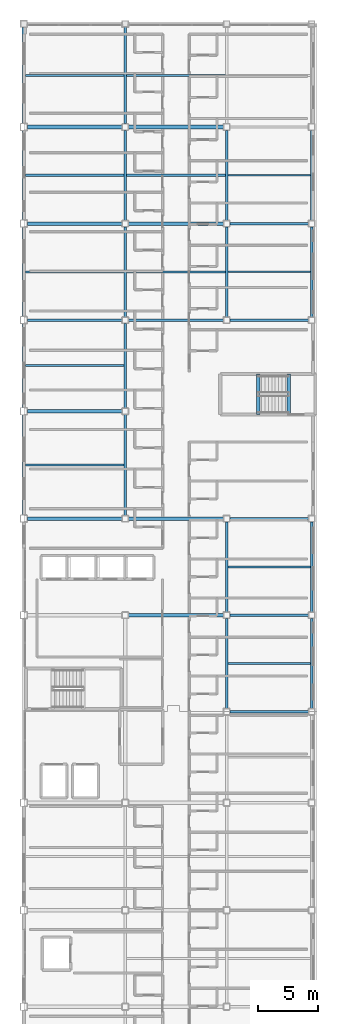
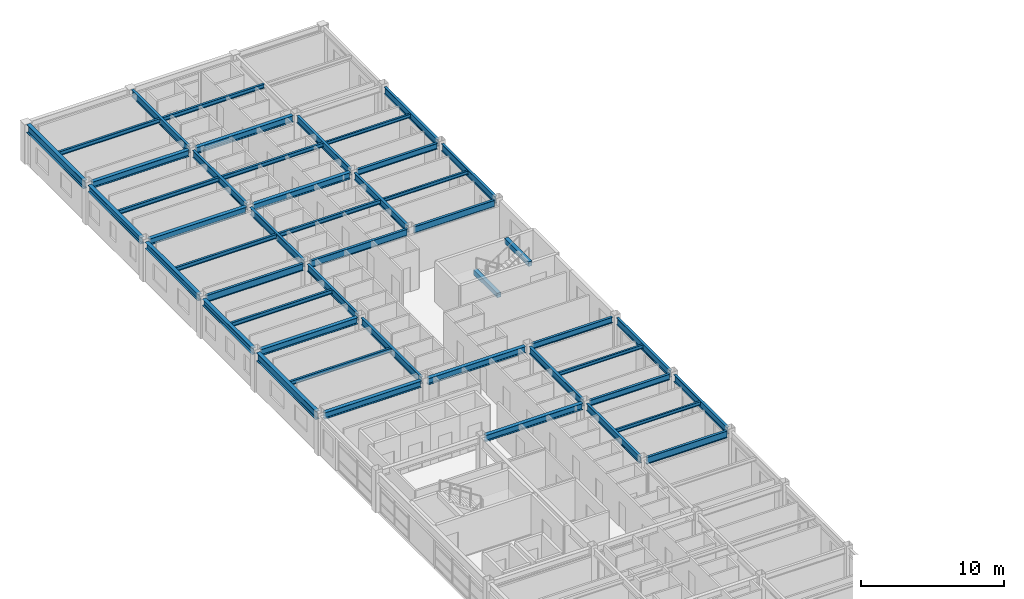
# One storey, part 18 of 36: 47 beams.
"""IFC4 building model written with IfcOpenShell, lengths in metres."""

from ifc_helpers import new_model, si_unit, direction, frame, origin, origin_2d, place, context, subcontext, project, spatial, rectangle, i_section, extrude, material, material_profile, profile_set, type_object, element, save


model = new_model("IFC4")

# Units and contexts
model_context = context("Model", 3, precision=1e-05, world=origin(), true_north=direction((0.0, 1.0)))
body_context = subcontext(model_context, "Body", "Model", "MODEL_VIEW")
ifc_project = project(units=[si_unit("LENGTHUNIT", "METRE"), si_unit("AREAUNIT", "SQUARE_METRE"), si_unit("VOLUMEUNIT", "CUBIC_METRE"), si_unit("PLANEANGLEUNIT", "RADIAN"), si_unit("MASSUNIT", "GRAM", prefix="KILO")], contexts=[model_context])

# Site, building, storey
site_placement = place(None, origin())
site = spatial("IfcSite", under=ifc_project, at=site_placement, CompositionType="ELEMENT")
building_placement = place(site_placement, origin())
building = spatial("IfcBuilding", under=site, at=building_placement, Name="Kazehara Bluff Congress Hotel", CompositionType="ELEMENT")
storey_placement = place(building_placement, frame((0.0, 0.0, 28.199951171875)))
storey = spatial("IfcBuildingStorey", under=building, at=storey_placement, Name="L06", CompositionType="ELEMENT", Elevation=28.199951171875)

# Beams
ifc_material_1 = material(Name="Steel SN490B", Category="steel")
ifc_material_profile_1 = material_profile(ifc_material_1, i_section(OverallWidth=0.199951171875, OverallDepth=0.5, WebThickness=0.010009765625, FlangeThickness=0.01611328125, FilletRadius=0.012939453125, at=origin_2d()))
ifc_profile_set_1 = profile_set([ifc_material_profile_1], Name="Steel SN490B")
beam_type_1 = type_object("IfcBeamType", Name="TP-G-01", PredefinedType="BEAM", material=ifc_profile_set_1)
for number, where, z_axis, x_axis, name in (
    (1, (160.77490234375, 56.449951171875, 3.130126953125), (1.0, 0.0, 0.0), (0.0, 1.0, 0.0), "L06 girder G-01 65"),
    (2, (160.77490234375, 64.449951171875, 3.130126953125), (1.0, 0.0, 0.0), (0.0, 1.0, 0.0), "L06 girder G-01 68"),
    (3, (160.77490234375, 88.89990234375, 3.130126953125), (1.0, 0.0, 0.0), (0.0, 1.0, 0.0), "L06 girder G-01 75"),
):
    element("IfcBeam", number, at=place(storey_placement, frame(where, z_axis=z_axis, x_axis=x_axis)), inside=storey, type_object=beam_type_1, Name=name, PredefinedType="BEAM", context=body_context, shape_type="SweptSolid", body=[
        extrude(i_section(OverallWidth=0.199951171875, OverallDepth=0.5, WebThickness=0.010009765625, FlangeThickness=0.01611328125, FilletRadius=0.012939453125, at=origin_2d()), origin(), (0.0, 0.0, 1.0), 6.5),
    ])
ifc_material_2 = material(Name="Steel SN490B", Category="steel")
ifc_material_profile_2 = material_profile(ifc_material_2, i_section(OverallWidth=0.199951171875, OverallDepth=0.60009765625, WebThickness=0.010986328125, FlangeThickness=0.01708984375, FilletRadius=0.012939453125, at=origin_2d()))
ifc_profile_set_2 = profile_set([ifc_material_profile_2], Name="Steel SN490B")
beam_type_2 = type_object("IfcBeamType", Name="TP-G-02", PredefinedType="BEAM", material=ifc_profile_set_2)
beam_1_placement = place(storey_placement, frame((152.10009765625, 64.72509765625, 3.080078125), z_axis=(0.0, 1.0, 0.0), x_axis=(-1.0, 0.0, 0.0)))
element("IfcBeam", 4, at=beam_1_placement, inside=storey, type_object=beam_type_2, Name="L06 girder G-02 19", PredefinedType="BEAM", context=body_context, shape_type="SweptSolid", body=[
    extrude(i_section(OverallWidth=0.199951171875, OverallDepth=0.60009765625, WebThickness=0.010986328125, FlangeThickness=0.01708984375, FilletRadius=0.012939453125, at=origin_2d()), origin(), (0.0, 0.0, 1.0), 8.349853515625),
])
beam_2_placement = place(storey_placement, frame((152.10009765625, 73.625, 3.080078125), z_axis=(0.0, 1.0, 0.0), x_axis=(-1.0, 0.0, 0.0)))
element("IfcBeam", 5, at=beam_2_placement, inside=storey, type_object=beam_type_2, Name="L06 girder G-02 20", PredefinedType="BEAM", context=body_context, shape_type="SweptSolid", body=[
    extrude(i_section(OverallWidth=0.199951171875, OverallDepth=0.60009765625, WebThickness=0.010986328125, FlangeThickness=0.01708984375, FilletRadius=0.012939453125, at=origin_2d()), origin(), (0.0, 0.0, 1.0), 7.0),
])
for number, where, z_axis, x_axis, name in (
    (6, (152.10009765625, 81.175048828125, 3.080078125), (0.0, 1.0, 0.0), (-1.0, 0.0, 0.0), "L06 girder G-02 21"),
    (7, (152.10009765625, 89.175048828125, 3.080078125), (0.0, 1.0, 0.0), (-1.0, 0.0, 0.0), "L06 girder G-02 22"),
):
    element("IfcBeam", number, at=place(storey_placement, frame(where, z_axis=z_axis, x_axis=x_axis)), inside=storey, type_object=beam_type_2, Name=name, PredefinedType="BEAM", context=body_context, shape_type="SweptSolid", body=[
        extrude(i_section(OverallWidth=0.199951171875, OverallDepth=0.60009765625, WebThickness=0.010986328125, FlangeThickness=0.01708984375, FilletRadius=0.012939453125, at=origin_2d()), origin(), (0.0, 0.0, 1.0), 7.449951171875),
    ])
beam_3_placement = place(storey_placement, frame((152.10009765625, 97.175048828125, 3.080078125), z_axis=(0.0, 1.0, 0.0), x_axis=(-1.0, 0.0, 0.0)))
element("IfcBeam", 8, at=beam_3_placement, inside=storey, type_object=beam_type_2, Name="L06 girder G-02 23", PredefinedType="BEAM", context=body_context, shape_type="SweptSolid", body=[
    extrude(i_section(OverallWidth=0.199951171875, OverallDepth=0.60009765625, WebThickness=0.010986328125, FlangeThickness=0.01708984375, FilletRadius=0.012939453125, at=origin_2d()), origin(), (0.0, 0.0, 1.0), 8.0),
])
for number, where, z_axis, x_axis, name in (
    (9, (160.5, 48.72509765625, 3.080078125), (0.0, 1.0, 0.0), (-1.0, 0.0, 0.0), "L06 girder G-02 29"),
    (10, (160.5, 56.72509765625, 3.080078125), (0.0, 1.0, 0.0), (-1.0, 0.0, 0.0), "L06 girder G-02 30"),
    (11, (160.5, 81.175048828125, 3.080078125), (0.0, 1.0, 0.0), (-1.0, 0.0, 0.0), "L06 girder G-02 31"),
    (12, (160.5, 89.175048828125, 3.080078125), (0.0, 1.0, 0.0), (-1.0, 0.0, 0.0), "L06 girder G-02 32"),
    (13, (167.550048828125, 48.72509765625, 3.080078125), (0.0, 1.0, 0.0), (-1.0, 0.0, 0.0), "L06 girder G-02 39"),
    (14, (167.550048828125, 56.72509765625, 3.080078125), (0.0, 1.0, 0.0), (-1.0, 0.0, 0.0), "L06 girder G-02 40"),
    (15, (167.550048828125, 81.175048828125, 3.080078125), (0.0, 1.0, 0.0), (-1.0, 0.0, 0.0), "L06 girder G-02 41"),
    (16, (167.550048828125, 89.175048828125, 3.080078125), (0.0, 1.0, 0.0), (-1.0, 0.0, 0.0), "L06 girder G-02 42"),
):
    element("IfcBeam", number, at=place(storey_placement, frame(where, z_axis=z_axis, x_axis=x_axis)), inside=storey, type_object=beam_type_2, Name=name, PredefinedType="BEAM", context=body_context, shape_type="SweptSolid", body=[
        extrude(i_section(OverallWidth=0.199951171875, OverallDepth=0.60009765625, WebThickness=0.010986328125, FlangeThickness=0.01708984375, FilletRadius=0.012939453125, at=origin_2d()), origin(), (0.0, 0.0, 1.0), 7.449951171875),
    ])
ifc_material_3 = material(Name="Steel SN490B", Category="steel")
ifc_material_profile_3 = material_profile(ifc_material_3, i_section(OverallWidth=0.300048828125, OverallDepth=0.550048828125, WebThickness=0.010986328125, FlangeThickness=0.01806640625, FilletRadius=0.012939453125, at=origin_2d()))
ifc_profile_set_3 = profile_set([ifc_material_profile_3], Name="Steel SN490B")
beam_type_3 = type_object("IfcBeamType", Name="TP-G-12", PredefinedType="BEAM", material=ifc_profile_set_3)
beam_4_placement = place(storey_placement, frame((152.375, 56.449951171875, 3.10498046875), z_axis=(1.0, 0.0, 0.0), x_axis=(0.0, 1.0, 0.0)))
element("IfcBeam", 17, at=beam_4_placement, inside=storey, type_object=beam_type_3, Name="L06 girder G-12 64", PredefinedType="BEAM", context=body_context, shape_type="SweptSolid", body=[
    extrude(i_section(OverallWidth=0.300048828125, OverallDepth=0.550048828125, WebThickness=0.010986328125, FlangeThickness=0.01806640625, FilletRadius=0.012939453125, at=origin_2d()), origin(), (0.0, 0.0, 1.0), 7.85009765625),
])
beam_5_placement = place(storey_placement, frame((144.0, 64.449951171875, 3.10498046875), z_axis=(1.0, 0.0, 0.0), x_axis=(0.0, 1.0, 0.0)))
element("IfcBeam", 18, at=beam_5_placement, inside=storey, type_object=beam_type_3, Name="L06 girder G-12 66", PredefinedType="BEAM", context=body_context, shape_type="SweptSolid", body=[
    extrude(i_section(OverallWidth=0.300048828125, OverallDepth=0.550048828125, WebThickness=0.010986328125, FlangeThickness=0.01806640625, FilletRadius=0.012939453125, at=origin_2d()), origin(), (0.0, 0.0, 1.0), 7.824951171875),
])
beam_6_placement = place(storey_placement, frame((152.375, 64.449951171875, 3.10498046875), z_axis=(1.0, 0.0, 0.0), x_axis=(0.0, 1.0, 0.0)))
element("IfcBeam", 19, at=beam_6_placement, inside=storey, type_object=beam_type_3, Name="L06 girder G-12 67", PredefinedType="BEAM", context=body_context, shape_type="SweptSolid", body=[
    extrude(i_section(OverallWidth=0.300048828125, OverallDepth=0.550048828125, WebThickness=0.010986328125, FlangeThickness=0.01806640625, FilletRadius=0.012939453125, at=origin_2d()), origin(), (0.0, 0.0, 1.0), 7.85009765625),
])
for number, where, z_axis, x_axis, name in (
    (20, (144.0, 73.35009765625, 3.10498046875), (1.0, 0.0, 0.0), (0.0, 1.0, 0.0), "L06 girder G-12 69"),
    (21, (144.0, 88.89990234375, 3.10498046875), (1.0, 0.0, 0.0), (0.0, 1.0, 0.0), "L06 girder G-12 73"),
):
    element("IfcBeam", number, at=place(storey_placement, frame(where, z_axis=z_axis, x_axis=x_axis)), inside=storey, type_object=beam_type_3, Name=name, PredefinedType="BEAM", context=body_context, shape_type="SweptSolid", body=[
        extrude(i_section(OverallWidth=0.300048828125, OverallDepth=0.550048828125, WebThickness=0.010986328125, FlangeThickness=0.01806640625, FilletRadius=0.012939453125, at=origin_2d()), origin(), (0.0, 0.0, 1.0), 7.824951171875),
    ])
beam_7_placement = place(storey_placement, frame((152.375, 88.89990234375, 3.10498046875), z_axis=(1.0, 0.0, 0.0), x_axis=(0.0, 1.0, 0.0)))
element("IfcBeam", 22, at=beam_7_placement, inside=storey, type_object=beam_type_3, Name="L06 girder G-12 74", PredefinedType="BEAM", context=body_context, shape_type="SweptSolid", body=[
    extrude(i_section(OverallWidth=0.300048828125, OverallDepth=0.550048828125, WebThickness=0.010986328125, FlangeThickness=0.01806640625, FilletRadius=0.012939453125, at=origin_2d()), origin(), (0.0, 0.0, 1.0), 7.85009765625),
])
beam_8_placement = place(storey_placement, frame((144.0, 96.89990234375, 3.10498046875), z_axis=(1.0, 0.0, 0.0), x_axis=(0.0, 1.0, 0.0)))
element("IfcBeam", 23, at=beam_8_placement, inside=storey, type_object=beam_type_3, Name="L06 girder G-12 76", PredefinedType="BEAM", context=body_context, shape_type="SweptSolid", body=[
    extrude(i_section(OverallWidth=0.300048828125, OverallDepth=0.550048828125, WebThickness=0.010986328125, FlangeThickness=0.01806640625, FilletRadius=0.012939453125, at=origin_2d()), origin(), (0.0, 0.0, 1.0), 7.824951171875),
])
beam_9_placement = place(storey_placement, frame((152.375, 96.89990234375, 3.10498046875), z_axis=(1.0, 0.0, 0.0), x_axis=(0.0, 1.0, 0.0)))
element("IfcBeam", 24, at=beam_9_placement, inside=storey, type_object=beam_type_3, Name="L06 girder G-12 77", PredefinedType="BEAM", context=body_context, shape_type="SweptSolid", body=[
    extrude(i_section(OverallWidth=0.300048828125, OverallDepth=0.550048828125, WebThickness=0.010986328125, FlangeThickness=0.01806640625, FilletRadius=0.012939453125, at=origin_2d()), origin(), (0.0, 0.0, 1.0), 7.85009765625),
])
ifc_material_4 = material(Name="Steel SN400B", Category="steel")
ifc_material_profile_4 = material_profile(ifc_material_4, i_section(OverallWidth=0.14990234375, OverallDepth=0.300048828125, WebThickness=0.006591796875, FlangeThickness=0.009033203125, FilletRadius=0.012939453125, at=origin_2d()))
ifc_profile_set_4 = profile_set([ifc_material_profile_4], Name="Steel SN400B")
beam_type_4 = type_object("IfcBeamType", Name="TP-J-01", PredefinedType="JOIST", material=ifc_profile_set_4)
for number, where, z_axis, x_axis, name in (
    (25, (160.60009765625, 52.449951171875, 3.22998046875), (1.0, 0.0, 0.0), (0.0, 1.0, 0.0), "L06 secondary joist J-01 22"),
    (26, (160.60009765625, 60.449951171875, 3.22998046875), (1.0, 0.0, 0.0), (0.0, 1.0, 0.0), "L06 secondary joist J-01 23"),
    (27, (160.60009765625, 84.89990234375, 3.22998046875), (1.0, 0.0, 0.0), (0.0, 1.0, 0.0), "L06 secondary joist J-01 24"),
    (28, (160.60009765625, 92.89990234375, 3.22998046875), (1.0, 0.0, 0.0), (0.0, 1.0, 0.0), "L06 secondary joist J-01 25"),
):
    element("IfcBeam", number, at=place(storey_placement, frame(where, z_axis=z_axis, x_axis=x_axis)), inside=storey, type_object=beam_type_4, Name=name, PredefinedType="JOIST", context=body_context, shape_type="SweptSolid", body=[
        extrude(i_section(OverallWidth=0.14990234375, OverallDepth=0.300048828125, WebThickness=0.006591796875, FlangeThickness=0.009033203125, FilletRadius=0.012939453125, at=origin_2d()), origin(), (0.0, 0.0, 1.0), 6.849853515625),
    ])
ifc_material_5 = material(Name="Steel SN400B", Category="steel")
ifc_material_profile_5 = material_profile(ifc_material_5, i_section(OverallWidth=0.175048828125, OverallDepth=0.35009765625, WebThickness=0.007080078125, FlangeThickness=0.010986328125, FilletRadius=0.012939453125, at=origin_2d()))
ifc_profile_set_5 = profile_set([ifc_material_profile_5], Name="Steel SN400B")
beam_type_5 = type_object("IfcBeamType", Name="TP-J-02", PredefinedType="JOIST", material=ifc_profile_set_5)
for number, where, z_axis, x_axis, name in (
    (29, (143.85009765625, 68.89990234375, 3.205078125), (1.0, 0.0, 0.0), (0.0, 1.0, 0.0), "L06 secondary joist J-02 5"),
    (30, (143.85009765625, 77.125, 3.205078125), (1.0, 0.0, 0.0), (0.0, 1.0, 0.0), "L06 secondary joist J-02 6"),
    (31, (143.85009765625, 84.89990234375, 3.205078125), (1.0, 0.0, 0.0), (0.0, 1.0, 0.0), "L06 secondary joist J-02 7"),
    (32, (143.85009765625, 92.89990234375, 3.205078125), (1.0, 0.0, 0.0), (0.0, 1.0, 0.0), "L06 secondary joist J-02 8"),
    (33, (143.85009765625, 101.175048828125, 3.205078125), (1.0, 0.0, 0.0), (0.0, 1.0, 0.0), "L06 secondary joist J-02 9"),
):
    element("IfcBeam", number, at=place(storey_placement, frame(where, z_axis=z_axis, x_axis=x_axis)), inside=storey, type_object=beam_type_5, Name=name, PredefinedType="JOIST", context=body_context, shape_type="SweptSolid", body=[
        extrude(i_section(OverallWidth=0.175048828125, OverallDepth=0.35009765625, WebThickness=0.007080078125, FlangeThickness=0.010986328125, FilletRadius=0.012939453125, at=origin_2d()), origin(), (0.0, 0.0, 1.0), 8.14990234375),
    ])
for number, where, z_axis, x_axis, name in (
    (34, (152.199951171875, 84.89990234375, 3.205078125), (1.0, 0.0, 0.0), (0.0, 1.0, 0.0), "L06 secondary joist J-02 14"),
    (35, (152.199951171875, 92.89990234375, 3.205078125), (1.0, 0.0, 0.0), (0.0, 1.0, 0.0), "L06 secondary joist J-02 15"),
    (36, (152.199951171875, 101.175048828125, 3.205078125), (1.0, 0.0, 0.0), (0.0, 1.0, 0.0), "L06 secondary joist J-02 16"),
):
    element("IfcBeam", number, at=place(storey_placement, frame(where, z_axis=z_axis, x_axis=x_axis)), inside=storey, type_object=beam_type_5, Name=name, PredefinedType="JOIST", context=body_context, shape_type="SweptSolid", body=[
        extrude(i_section(OverallWidth=0.175048828125, OverallDepth=0.35009765625, WebThickness=0.007080078125, FlangeThickness=0.010986328125, FilletRadius=0.012939453125, at=origin_2d()), origin(), (0.0, 0.0, 1.0), 8.199951171875),
    ])
ifc_material_6 = material(Name="Concrete C40/50", Category="concrete")
ifc_material_profile_6 = material_profile(ifc_material_6, rectangle(XDim=0.300048828125, YDim=0.39990234375, at=origin_2d()))
ifc_profile_set_6 = profile_set([ifc_material_profile_6], Name="Concrete C40/50")
beam_type_6 = type_object("IfcBeamType", Name="TP-LN-02", PredefinedType="LINTEL", material=ifc_profile_set_6)
for number, where, z_axis, x_axis, name in (
    (37, (163.1298828125, 76.425048828125, 1.420166015625), (0.0, -1.0, 0.0), (1.0, 0.0, 0.0), "L06 ST-12 half-landing support beam 1"),
    (38, (165.64990234375, 76.425048828125, 3.199951171875), (0.0, -1.0, 0.0), (1.0, 0.0, 0.0), "L07 ST-12 stairwell trimmer beam"),
):
    element("IfcBeam", number, at=place(storey_placement, frame(where, z_axis=z_axis, x_axis=x_axis)), inside=storey, type_object=beam_type_6, Name=name, PredefinedType="LINTEL", context=body_context, shape_type="SweptSolid", body=[
        extrude(rectangle(XDim=0.300048828125, YDim=0.39990234375, at=origin_2d()), origin(), (0.0, 0.0, 1.0), 3.35009765625),
    ])
ifc_material_7 = material(Name="Steel SN490B", Category="steel")
ifc_material_profile_7 = material_profile(ifc_material_7, i_section(OverallWidth=0.300048828125, OverallDepth=0.550048828125, WebThickness=0.010986328125, FlangeThickness=0.01806640625, FilletRadius=0.012939453125, at=origin_2d()))
ifc_profile_set_7 = profile_set([ifc_material_profile_7], Name="Steel SN490B")
beam_type_7 = type_object("IfcBeamType", Name="TP-SP-01", PredefinedType="SPANDREL", material=ifc_profile_set_7)
beam_10_placement = place(storey_placement, frame((143.699951171875, 73.64990234375, 3.10498046875), z_axis=(0.0, 1.0, 0.0), x_axis=(-1.0, 0.0, 0.0)))
element("IfcBeam", 39, at=beam_10_placement, inside=storey, type_object=beam_type_7, Name="L06 girder SP-01 9", PredefinedType="SPANDREL", context=body_context, shape_type="SweptSolid", body=[
    extrude(i_section(OverallWidth=0.300048828125, OverallDepth=0.550048828125, WebThickness=0.010986328125, FlangeThickness=0.01806640625, FilletRadius=0.012939453125, at=origin_2d()), origin(), (0.0, 0.0, 1.0), 6.9501953125),
])
for number, where, z_axis, x_axis, name in (
    (40, (143.699951171875, 81.199951171875, 3.10498046875), (0.0, 1.0, 0.0), (-1.0, 0.0, 0.0), "L06 girder SP-01 10"),
    (41, (143.699951171875, 89.199951171875, 3.10498046875), (0.0, 1.0, 0.0), (-1.0, 0.0, 0.0), "L06 girder SP-01 11"),
):
    element("IfcBeam", number, at=place(storey_placement, frame(where, z_axis=z_axis, x_axis=x_axis)), inside=storey, type_object=beam_type_7, Name=name, PredefinedType="SPANDREL", context=body_context, shape_type="SweptSolid", body=[
        extrude(i_section(OverallWidth=0.300048828125, OverallDepth=0.550048828125, WebThickness=0.010986328125, FlangeThickness=0.01806640625, FilletRadius=0.012939453125, at=origin_2d()), origin(), (0.0, 0.0, 1.0), 7.400146484375),
    ])
ifc_material_8 = material(Name="Steel SN490B", Category="steel")
ifc_material_profile_8 = material_profile(ifc_material_8, i_section(OverallWidth=0.199951171875, OverallDepth=0.60009765625, WebThickness=0.010986328125, FlangeThickness=0.01708984375, FilletRadius=0.012939453125, at=origin_2d()))
ifc_profile_set_8 = profile_set([ifc_material_profile_8], Name="Steel SN490B")
beam_type_8 = type_object("IfcBeamType", Name="TP-SP-02", PredefinedType="SPANDREL", material=ifc_profile_set_8)
beam_11_placement = place(storey_placement, frame((160.77490234375, 48.449951171875, 3.080078125), z_axis=(1.0, 0.0, 0.0), x_axis=(0.0, 1.0, 0.0)))
element("IfcBeam", 42, at=beam_11_placement, inside=storey, type_object=beam_type_8, Name="L06 girder SP-02 62", PredefinedType="SPANDREL", context=body_context, shape_type="SweptSolid", body=[
    extrude(i_section(OverallWidth=0.199951171875, OverallDepth=0.60009765625, WebThickness=0.010986328125, FlangeThickness=0.01708984375, FilletRadius=0.012939453125, at=origin_2d()), origin(), (0.0, 0.0, 1.0), 6.5),
])
beam_12_placement = place(storey_placement, frame((144.0, 80.89990234375, 3.080078125), z_axis=(1.0, 0.0, 0.0), x_axis=(0.0, 1.0, 0.0)))
element("IfcBeam", 43, at=beam_12_placement, inside=storey, type_object=beam_type_8, Name="L06 girder SP-02 70", PredefinedType="SPANDREL", context=body_context, shape_type="SweptSolid", body=[
    extrude(i_section(OverallWidth=0.199951171875, OverallDepth=0.60009765625, WebThickness=0.010986328125, FlangeThickness=0.01708984375, FilletRadius=0.012939453125, at=origin_2d()), origin(), (0.0, 0.0, 1.0), 7.824951171875),
])
beam_13_placement = place(storey_placement, frame((152.375, 80.89990234375, 3.080078125), z_axis=(1.0, 0.0, 0.0), x_axis=(0.0, 1.0, 0.0)))
element("IfcBeam", 44, at=beam_13_placement, inside=storey, type_object=beam_type_8, Name="L06 girder SP-02 71", PredefinedType="SPANDREL", context=body_context, shape_type="SweptSolid", body=[
    extrude(i_section(OverallWidth=0.199951171875, OverallDepth=0.60009765625, WebThickness=0.010986328125, FlangeThickness=0.01708984375, FilletRadius=0.012939453125, at=origin_2d()), origin(), (0.0, 0.0, 1.0), 7.85009765625),
])
beam_14_placement = place(storey_placement, frame((160.77490234375, 80.89990234375, 3.080078125), z_axis=(1.0, 0.0, 0.0), x_axis=(0.0, 1.0, 0.0)))
element("IfcBeam", 45, at=beam_14_placement, inside=storey, type_object=beam_type_8, Name="L06 girder SP-02 72", PredefinedType="SPANDREL", context=body_context, shape_type="SweptSolid", body=[
    extrude(i_section(OverallWidth=0.199951171875, OverallDepth=0.60009765625, WebThickness=0.010986328125, FlangeThickness=0.01708984375, FilletRadius=0.012939453125, at=origin_2d()), origin(), (0.0, 0.0, 1.0), 6.5),
])
ifc_material_9 = material(Name="Steel SN490B", Category="steel")
ifc_material_profile_9 = material_profile(ifc_material_9, i_section(OverallWidth=0.300048828125, OverallDepth=0.699951171875, WebThickness=0.012939453125, FlangeThickness=0.02392578125, FilletRadius=0.01806640625, at=origin_2d()))
ifc_profile_set_9 = profile_set([ifc_material_profile_9], Name="Steel SN490B")
beam_type_9 = type_object("IfcBeamType", Name="TP-SP-03", PredefinedType="SPANDREL", material=ifc_profile_set_9)
beam_15_placement = place(storey_placement, frame((143.699951171875, 64.75, 3.030029296875), z_axis=(0.0, 1.0, 0.0), x_axis=(-1.0, 0.0, 0.0)))
element("IfcBeam", 46, at=beam_15_placement, inside=storey, type_object=beam_type_9, Name="L06 girder SP-03 8", PredefinedType="SPANDREL", context=body_context, shape_type="SweptSolid", body=[
    extrude(i_section(OverallWidth=0.300048828125, OverallDepth=0.699951171875, WebThickness=0.012939453125, FlangeThickness=0.02392578125, FilletRadius=0.01806640625, at=origin_2d()), origin(), (0.0, 0.0, 1.0), 8.300048828125),
])
beam_16_placement = place(storey_placement, frame((143.699951171875, 97.199951171875, 3.030029296875), z_axis=(0.0, 1.0, 0.0), x_axis=(-1.0, 0.0, 0.0)))
element("IfcBeam", 47, at=beam_16_placement, inside=storey, type_object=beam_type_9, Name="L06 girder SP-03 12", PredefinedType="SPANDREL", context=body_context, shape_type="SweptSolid", body=[
    extrude(i_section(OverallWidth=0.300048828125, OverallDepth=0.699951171875, WebThickness=0.012939453125, FlangeThickness=0.02392578125, FilletRadius=0.01806640625, at=origin_2d()), origin(), (0.0, 0.0, 1.0), 7.949951171875),
])

save(model, "model.ifc")
